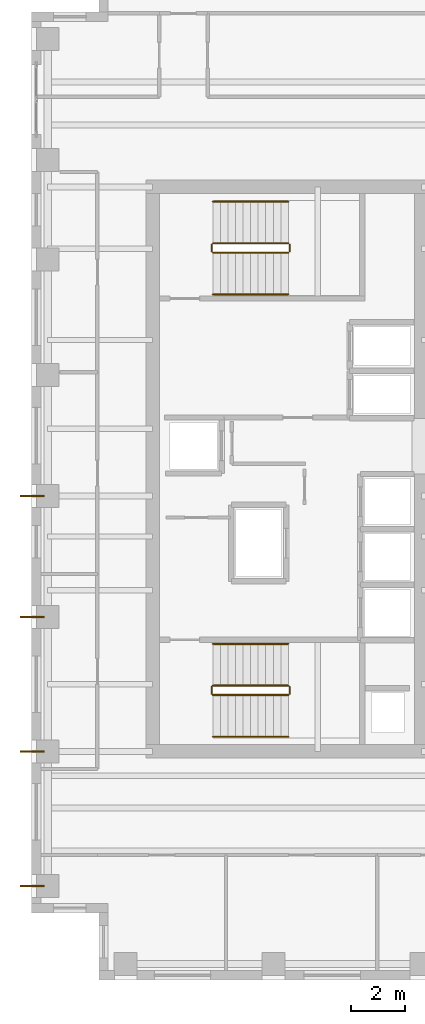
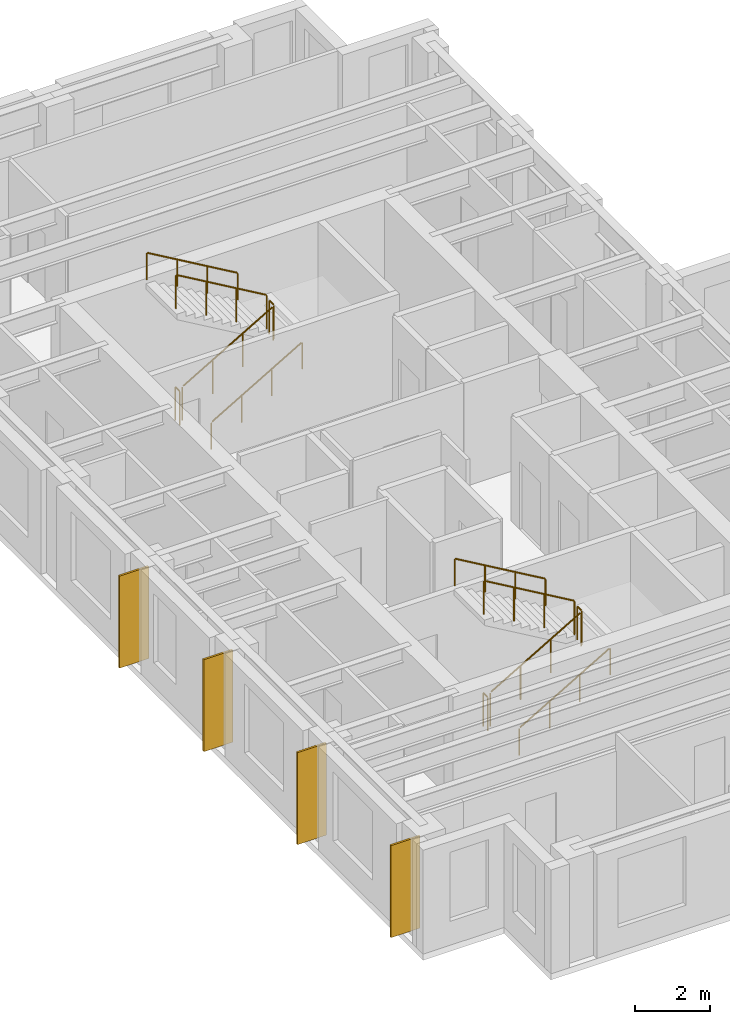
# One storey, part 12 of 13: 12 railings, 4 coverings.
"""IFC4 building model written with IfcOpenShell, lengths in metres."""

from ifc_helpers import new_model, si_unit, direction, frame, origin, origin_2d, place, context, subcontext, project, spatial, rectangle, circle, extrude, source, transform, mapped, material, layer, layer_set, type_object, element, save


model = new_model("IFC4")

# Units and contexts
model_context = context("Model", 3, precision=1e-05, world=origin(), true_north=direction((0.0, 1.0)))
body_context = subcontext(model_context, "Body", "Model", "MODEL_VIEW")
ifc_project = project(units=[si_unit("LENGTHUNIT", "METRE"), si_unit("AREAUNIT", "SQUARE_METRE"), si_unit("VOLUMEUNIT", "CUBIC_METRE"), si_unit("PLANEANGLEUNIT", "RADIAN"), si_unit("MASSUNIT", "GRAM", prefix="KILO")], contexts=[model_context])

# Site, building, storey
site_placement = place(None, origin())
site = spatial("IfcSite", under=ifc_project, at=site_placement, CompositionType="ELEMENT")
building_placement = place(site_placement, origin())
building = spatial("IfcBuilding", under=site, at=building_placement, Name="Kharzan Plaza Tower", CompositionType="ELEMENT")
storey_placement = place(building_placement, frame((0.0, 0.0, 252.0)))
storey = spatial("IfcBuildingStorey", under=building, at=storey_placement, Name="L68", CompositionType="ELEMENT", Elevation=252.0)

# Railings
ifc_material_1 = material(Name="Painted Galvanized Architectural Steel", Category="steel")
ifc_layer_1 = layer(ifc_material_1, 0.074951171875)
ifc_layer_set_1 = layer_set([ifc_layer_1], Name="Painted Galvanized Architectural Steel")
railing_type_1 = type_object("IfcRailingType", Name="RL-GUARD-1120", PredefinedType="BALUSTRADE", material=ifc_layer_set_1)
shared_shape_1 = source(origin(), body_context, "Body", "SweptSolid", [
    extrude(circle(Radius=0.02392578125, at=origin_2d()), frame((0.0, 0.0263671875, 1.09619140625), z_axis=(0.0, 1.0, 0.0), x_axis=(-1.0, 0.0, 0.0)), (0.0, 0.0, 1.0), 0.197021484375),
    extrude(circle(Radius=0.02099609375, at=origin_2d()), origin(), (0.0, 0.0, 1.0), 1.072021484375),
    extrude(circle(Radius=0.02099609375, at=origin_2d()), frame((0.0, 0.25, 0.0)), (0.0, 0.0, 1.0), 1.072021484375),
])
for number, where, name in (
    (1, (9.60009765625, 10.64990234375, 1.800048828125), "L68 ST-1 stair guard 2"),
    (2, (6.699951171875, 10.64990234375, 0.0), "L68 ST-1 stair guard 4"),
    (3, (9.60009765625, 27.10009765625, 1.800048828125), "L68 ST-2 stair guard 2"),
    (4, (6.699951171875, 27.10009765625, 0.0), "L68 ST-2 stair guard 4"),
):
    element("IfcRailing", number, at=place(storey_placement, frame(where)), inside=storey, type_object=railing_type_1, Name=name, PredefinedType="BALUSTRADE", context=body_context, shape_type="MappedRepresentation", body=[
        mapped(shared_shape_1, transform((0.0, 0.0, 0.0), x_axis=(1.0, 0.0, 0.0), y_axis=(0.0, 1.0, 0.0), z_axis=(0.0, 0.0, 1.0))),
    ])

# Coverings
ifc_material_2 = material(Name="Honed Riyadh Limestone", Category="masonry")
ifc_layer_2 = layer(ifc_material_2, 0.06005859375)
ifc_layer_set_2 = layer_set([ifc_layer_2], Name="Honed Riyadh Limestone")
covering_type = type_object("IfcCoveringType", Name="COV-CLAD-STONE", PredefinedType="CLADDING", material=ifc_layer_set_2)
shared_shape_2 = source(origin(), body_context, "Body", "SweptSolid", [
    extrude(rectangle(XDim=0.06005859375, YDim=0.89990234375, at=origin_2d()), origin(), (0.0, 0.0, 1.0), 3.0),
])
for number, where, z_axis, x_axis, name in (
    (5, (0.02001953125, 13.5, 0.10009765625), (0.0, 0.0, 1.0), (0.0, 1.0, 0.0), "L68 Limestone Pier Rainscreen Cladding TCW-135"),
    (6, (0.02001953125, 18.0, 0.10009765625), (0.0, 0.0, 1.0), (0.0, 1.0, 0.0), "L68 Limestone Pier Rainscreen Cladding TCW-180"),
    (7, (0.02001953125, 3.5, 0.10009765625), (0.0, 0.0, 1.0), (0.0, 1.0, 0.0), "L68 Limestone Pier Rainscreen Cladding TCW-35"),
    (8, (0.02001953125, 8.5, 0.10009765625), (0.0, 0.0, 1.0), (0.0, 1.0, 0.0), "L68 Limestone Pier Rainscreen Cladding TCW-85"),
):
    element("IfcCovering", number, at=place(storey_placement, frame(where, z_axis=z_axis, x_axis=x_axis)), inside=storey, type_object=covering_type, Name=name, PredefinedType="CLADDING", context=body_context, shape_type="MappedRepresentation", body=[
        mapped(shared_shape_2, transform((0.0, 0.0, 0.0), x_axis=(1.0, 0.0, 0.0), y_axis=(0.0, 1.0, 0.0), z_axis=(0.0, 0.0, 1.0))),
    ])

# Railings
shared_shape_3 = source(origin(), body_context, "Body", "SweptSolid", [
    extrude(circle(Radius=0.02392578125, at=origin_2d()), frame((0.02294921875, 0.0, 1.109375), z_axis=(0.863360870873, 0.0, 0.504586966384), x_axis=(0.0, 1.0, 0.0)), (0.0, 0.0, 1.0), 3.190185546875),
    extrude(circle(Radius=0.02099609375, at=origin_2d()), origin(), (0.0, 0.0, 1.0), 1.072021484375),
    extrude(circle(Radius=0.02099609375, at=origin_2d()), frame((0.933349609375, 0.0, 0.54541015625)), (0.0, 0.0, 1.0), 1.072021484375),
    extrude(circle(Radius=0.02099609375, at=origin_2d()), frame((1.86669921875, 0.0, 1.091064453125)), (0.0, 0.0, 1.0), 1.072021484375),
    extrude(circle(Radius=0.02099609375, at=origin_2d()), frame((2.800048828125, 0.0, 1.636474609375)), (0.0, 0.0, 1.0), 1.072021484375),
])
for number, where, name in (
    (9, (6.75, 10.60009765625, 0.16357421875), "L68 ST-1 stair guard 1"),
    (10, (6.75, 27.050048828125, 0.16357421875), "L68 ST-2 stair guard 1"),
):
    element("IfcRailing", number, at=place(storey_placement, frame(where)), inside=storey, type_object=railing_type_1, Name=name, PredefinedType="BALUSTRADE", context=body_context, shape_type="MappedRepresentation", body=[
        mapped(shared_shape_3, transform((0.0, 0.0, 0.0), x_axis=(1.0, 0.0, 0.0), y_axis=(0.0, 1.0, 0.0), z_axis=(0.0, 0.0, 1.0))),
    ])
shared_shape_4 = source(origin(), body_context, "Body", "SweptSolid", [
    extrude(circle(Radius=0.02392578125, at=origin_2d()), frame((-0.02294921875, 0.0, 1.109375), z_axis=(-0.863360870873, 0.0, 0.504586966384), x_axis=(0.0, -1.0, 0.0)), (0.0, 0.0, 1.0), 3.190185546875),
    extrude(circle(Radius=0.02099609375, at=origin_2d()), origin(), (0.0, 0.0, 1.0), 1.072021484375),
    extrude(circle(Radius=0.02099609375, at=origin_2d()), frame((-0.933349609375, 0.0, 0.54541015625)), (0.0, 0.0, 1.0), 1.072021484375),
    extrude(circle(Radius=0.02099609375, at=origin_2d()), frame((-1.86669921875, 0.0, 1.091064453125)), (0.0, 0.0, 1.0), 1.072021484375),
    extrude(circle(Radius=0.02099609375, at=origin_2d()), frame((-2.800048828125, 0.0, 1.636474609375)), (0.0, 0.0, 1.0), 1.072021484375),
])
for number, where, name in (
    (11, (9.550048828125, 10.949951171875, 1.963623046875), "L68 ST-1 stair guard 3"),
    (12, (9.550048828125, 27.39990234375, 1.963623046875), "L68 ST-2 stair guard 3"),
):
    element("IfcRailing", number, at=place(storey_placement, frame(where)), inside=storey, type_object=railing_type_1, Name=name, PredefinedType="BALUSTRADE", context=body_context, shape_type="MappedRepresentation", body=[
        mapped(shared_shape_4, transform((0.0, 0.0, 0.0), x_axis=(1.0, 0.0, 0.0), y_axis=(0.0, 1.0, 0.0), z_axis=(0.0, 0.0, 1.0))),
    ])
ifc_material_3 = material(Name="Brushed Stainless Steel", Category="steel")
ifc_layer_3 = layer(ifc_material_3, 0.050048828125)
ifc_layer_set_3 = layer_set([ifc_layer_3], Name="Brushed Stainless Steel")
railing_type_2 = type_object("IfcRailingType", Name="RL-STAIR-HR920", PredefinedType="HANDRAIL", material=ifc_layer_set_3)
shared_shape_5 = source(origin(), body_context, "Body", "SweptSolid", [
    extrude(circle(Radius=0.02392578125, at=origin_2d()), frame((0.02294921875, 0.0, 0.88916015625), z_axis=(0.863360870873, 0.0, 0.504586966384), x_axis=(0.0, 1.0, 0.0)), (0.0, 0.0, 1.0), 3.190185546875),
    extrude(circle(Radius=0.02099609375, at=origin_2d()), origin(), (0.0, 0.0, 1.0), 0.851806640625),
    extrude(circle(Radius=0.02099609375, at=origin_2d()), frame((0.933349609375, 0.0, 0.54541015625)), (0.0, 0.0, 1.0), 0.851806640625),
    extrude(circle(Radius=0.02099609375, at=origin_2d()), frame((1.86669921875, 0.0, 1.091064453125)), (0.0, 0.0, 1.0), 0.851806640625),
    extrude(circle(Radius=0.02099609375, at=origin_2d()), frame((2.800048828125, 0.0, 1.636474609375)), (0.0, 0.0, 1.0), 0.851806640625),
])
for number, where, name in (
    (13, (6.75, 9.050048828125, 0.16357421875), "L68 ST-1 stair handrail 1"),
    (14, (6.75, 25.5, 0.16357421875), "L68 ST-2 stair handrail 1"),
):
    element("IfcRailing", number, at=place(storey_placement, frame(where)), inside=storey, type_object=railing_type_2, Name=name, PredefinedType="HANDRAIL", context=body_context, shape_type="MappedRepresentation", body=[
        mapped(shared_shape_5, transform((0.0, 0.0, 0.0), x_axis=(1.0, 0.0, 0.0), y_axis=(0.0, 1.0, 0.0), z_axis=(0.0, 0.0, 1.0))),
    ])
shared_shape_6 = source(origin(), body_context, "Body", "SweptSolid", [
    extrude(circle(Radius=0.02392578125, at=origin_2d()), frame((-0.02294921875, 0.0, 0.88916015625), z_axis=(-0.863360870873, 0.0, 0.504586966384), x_axis=(0.0, -1.0, 0.0)), (0.0, 0.0, 1.0), 3.190185546875),
    extrude(circle(Radius=0.02099609375, at=origin_2d()), origin(), (0.0, 0.0, 1.0), 0.851806640625),
    extrude(circle(Radius=0.02099609375, at=origin_2d()), frame((-0.933349609375, 0.0, 0.54541015625)), (0.0, 0.0, 1.0), 0.851806640625),
    extrude(circle(Radius=0.02099609375, at=origin_2d()), frame((-1.86669921875, 0.0, 1.091064453125)), (0.0, 0.0, 1.0), 0.851806640625),
    extrude(circle(Radius=0.02099609375, at=origin_2d()), frame((-2.800048828125, 0.0, 1.636474609375)), (0.0, 0.0, 1.0), 0.851806640625),
])
for number, where, name in (
    (15, (9.550048828125, 12.5, 1.963623046875), "L68 ST-1 stair handrail 2"),
    (16, (9.550048828125, 28.949951171875, 1.963623046875), "L68 ST-2 stair handrail 2"),
):
    element("IfcRailing", number, at=place(storey_placement, frame(where)), inside=storey, type_object=railing_type_2, Name=name, PredefinedType="HANDRAIL", context=body_context, shape_type="MappedRepresentation", body=[
        mapped(shared_shape_6, transform((0.0, 0.0, 0.0), x_axis=(1.0, 0.0, 0.0), y_axis=(0.0, 1.0, 0.0), z_axis=(0.0, 0.0, 1.0))),
    ])

save(model, "model.ifc")
